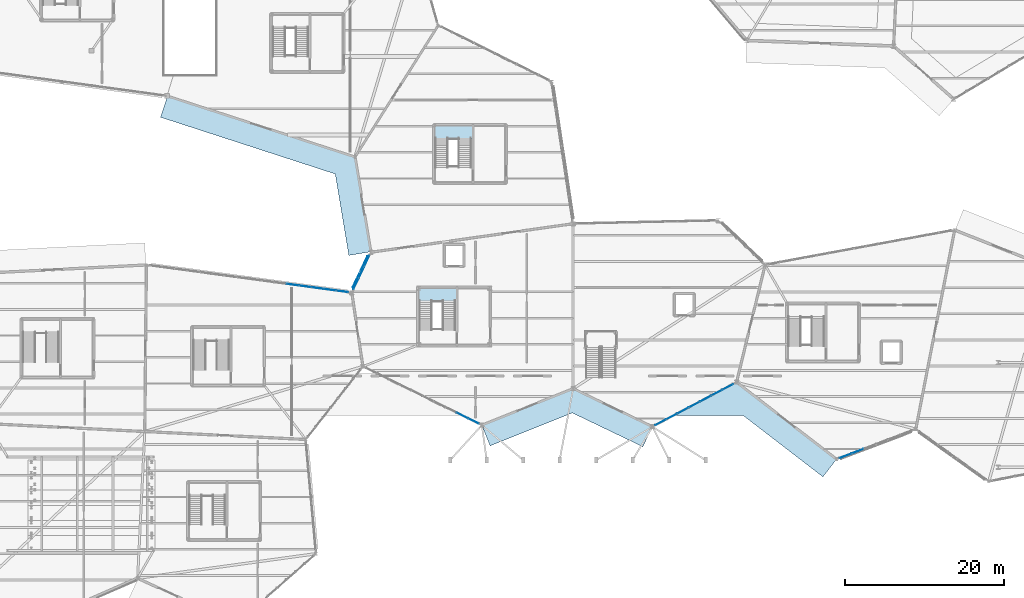
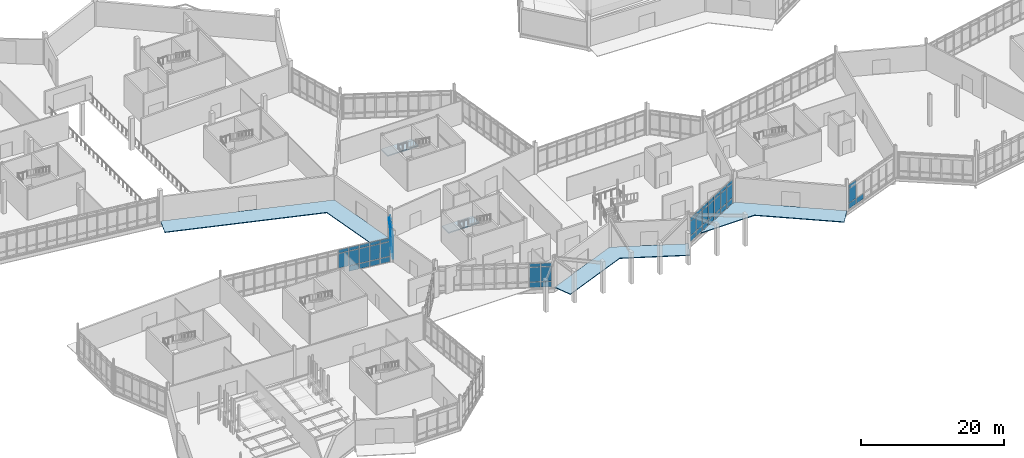
# One storey, part 71 of 113: 55 plates, 5 slabs, 7 elements without a shape of their own.
"""IFC4 building model written with IfcOpenShell, lengths in metres."""

import ifcopenshell
import ifcopenshell.guid

model = None  # the IFC model being written
_history = None  # IfcOwnerHistory: only IFC2X3 demands one
_inside = {}  # id of a spatial element -> (the spatial element, [elements in it])
_under = {}  # id of a project, library or spatial element -> (it, [spatial elements below it])
_declared = {}  # id of a project -> (the project, [libraries it declares])
_typed = {}  # id of a type object -> (the type object, [elements of that type])
_made_of = {}  # id of a material, layer set ... -> (it, [elements and type objects made of it])


def new_model(schema):
    """Start an empty IFC model of exactly this schema.

    Asked for "IFC4X3", IfcOpenShell would pick the latest addendum, in which some entities
    have other attributes; the version numbers below select the first issue.
    IFC2X3 requires an IfcOwnerHistory on every rooted entity: one is made here for all.
    """
    global model, _history
    if schema == "IFC4X3":
        model = ifcopenshell.file(schema_version=(4, 3, 0, 0))
    else:
        model = ifcopenshell.file(schema=schema)
    _inside.clear()
    _under.clear()
    _declared.clear()
    _typed.clear()
    _made_of.clear()
    _history = None
    if model.schema == "IFC2X3":
        org = make("IfcOrganization", Name="unknown")
        user = make(
            "IfcPersonAndOrganization",
            ThePerson=make("IfcPerson", FamilyName="unknown"),
            TheOrganization=org,
        )
        app = make(
            "IfcApplication",
            ApplicationDeveloper=org,
            Version="unknown",
            ApplicationFullName="unknown",
            ApplicationIdentifier="unknown",
        )
        _history = make(
            "IfcOwnerHistory",
            OwningUser=user,
            OwningApplication=app,
            ChangeAction="ADDED",
            CreationDate=0,
        )
    return model


def make(cls, **values):
    """One entity of the class cls with the attributes given. An attribute that is None is left unset."""
    return model.create_entity(
        cls, **{name: value for name, value in values.items() if value is not None}
    )


def rooted(cls, **values):
    """An entity with a GlobalId (a new one), such as an element, a storey or a relation."""
    return make(cls, GlobalId=ifcopenshell.guid.new(), OwnerHistory=_history, **values)


def si_unit(unit_type, name, prefix=None):
    """IfcSIUnit, for example si_unit("LENGTHUNIT", "METRE", prefix="MILLI")."""
    return make("IfcSIUnit", UnitType=unit_type, Prefix=prefix, Name=name)


def assignment(units):
    """IfcUnitAssignment: the units of a project."""
    return None if units is None else make("IfcUnitAssignment", Units=units)


def point(xyz):
    """IfcCartesianPoint."""
    return None if xyz is None else make("IfcCartesianPoint", Coordinates=xyz)


def direction(xyz):
    """IfcDirection."""
    return None if xyz is None else make("IfcDirection", DirectionRatios=xyz)


def frame(location, z_axis=None, x_axis=None):
    """IfcAxis2Placement3D, a coordinate frame: its origin and axes. An axis left out is left unset."""
    return make(
        "IfcAxis2Placement3D",
        Location=point(location),
        Axis=direction(z_axis),
        RefDirection=direction(x_axis),
    )


def frame_2d(location, x_axis=None):
    """IfcAxis2Placement2D, a coordinate frame in the plane: its origin and x axis."""
    return make(
        "IfcAxis2Placement2D", Location=point(location), RefDirection=direction(x_axis)
    )


def origin():
    """The frame at (0, 0, 0) with its axes left unset."""
    return frame((0.0, 0.0, 0.0))


def origin_2d():
    """The frame at (0, 0) in the plane with its x axis left unset."""
    return frame_2d((0.0, 0.0))


def place(relative_to, where):
    """IfcLocalPlacement: puts the frame where relative to a parent placement (None: the world)."""
    return make(
        "IfcLocalPlacement", PlacementRelTo=relative_to, RelativePlacement=where
    )


def context(
    kind, dimensions, precision=None, world=None, true_north=None, identifier=None
):
    """IfcGeometricRepresentationContext, for example the 3D "Model" context."""
    return make(
        "IfcGeometricRepresentationContext",
        ContextIdentifier=identifier,
        ContextType=kind,
        CoordinateSpaceDimension=dimensions,
        Precision=precision,
        WorldCoordinateSystem=world,
        TrueNorth=true_north,
    )


def subcontext(parent, identifier, kind, view, scale=None):
    """IfcGeometricRepresentationSubContext, for example "Body" below "Model"."""
    return make(
        "IfcGeometricRepresentationSubContext",
        ContextIdentifier=identifier,
        ContextType=kind,
        ParentContext=parent,
        TargetScale=scale,
        TargetView=view,
    )


def project(units=None, contexts=None):
    """IfcProject with its units and contexts."""
    return rooted(
        "IfcProject",
        Name="project",
        RepresentationContexts=contexts,
        UnitsInContext=assignment(units),
    )


def spatial(cls, under=None, at=None, **own):
    """A site, building, storey or space (cls), placed at a placement, below another one or the project."""
    s = rooted(cls, ObjectPlacement=at, **own)
    if under is not None:
        _under.setdefault(under.id(), (under, []))[1].append(s)
    return s


def polyline(points):
    """IfcPolyline through the points."""
    return make("IfcPolyline", Points=[point(p) for p in points])


def profile(cls, at=None, kind="AREA", **sizes):
    """A parametric profile (cls). Its sizes go by their IFC names, for example OverallWidth=200.0."""
    return make(cls, ProfileType=kind, Position=at, **sizes)


def rectangle(**sizes):
    """IfcRectangleProfileDef."""
    return profile("IfcRectangleProfileDef", **sizes)


def outline(outer, holes=None, kind="AREA"):
    """IfcArbitraryClosedProfileDef: a profile drawn as a closed curve; with holes, ...WithVoids."""
    if holes is None:
        return make("IfcArbitraryClosedProfileDef", ProfileType=kind, OuterCurve=outer)
    return make(
        "IfcArbitraryProfileDefWithVoids",
        ProfileType=kind,
        OuterCurve=outer,
        InnerCurves=holes,
    )


def extrude(swept, where, along, depth):
    """IfcExtrudedAreaSolid: the profile swept, set in the frame where, extruded along a direction by depth."""
    return make(
        "IfcExtrudedAreaSolid",
        SweptArea=swept,
        Position=where,
        ExtrudedDirection=direction(along),
        Depth=depth,
    )


def shape(context_of_items, identifier, shape_type, items):
    """IfcShapeRepresentation: the items that make up one representation, for example the "Body"."""
    return make(
        "IfcShapeRepresentation",
        ContextOfItems=context_of_items,
        RepresentationIdentifier=identifier,
        RepresentationType=shape_type,
        Items=items,
    )


def material(Name=None, Category=None):
    """IfcMaterial."""
    return make("IfcMaterial", Name=Name, Category=Category)


def layer(
    of_material, thickness, ventilated=None, Name=None, Category=None, Priority=None
):
    """IfcMaterialLayer: one layer of a wall or slab, of a material (None: an air gap)."""
    return make(
        "IfcMaterialLayer",
        Material=of_material,
        LayerThickness=thickness,
        IsVentilated=ventilated,
        Name=Name,
        Category=Category,
        Priority=Priority,
    )


def layer_set(layers, Name=None):
    """IfcMaterialLayerSet."""
    return make("IfcMaterialLayerSet", MaterialLayers=layers, LayerSetName=Name)


def made_of(thing, what):
    """Note that an element or type object is made of a material, layer set ...; save() writes the relation."""
    if what is not None:
        _made_of.setdefault(what.id(), (what, []))[1].append(thing)
    return thing


def type_object(cls, material=None, **own):
    """A type object (cls), such as IfcWallType, which elements share."""
    return made_of(rooted(cls, **own), material)


def element(
    cls,
    number,
    at=None,
    inside=None,
    cuts=None,
    type_object=None,
    material=None,
    context=None,
    identifier="Body",
    shape_type=None,
    held_by="IfcProductDefinitionShape",
    body=None,
    shapes=None,
    **own,
):
    """One element of the class cls, such as IfcWall. Its Tag is "e" and its number.

    at: its placement. inside: the storey or other place that contains it. cuts: it is an
    opening in that element (IfcRelVoidsElement). A single representation is given by context,
    identifier, shape_type and body (its items); several are given by shapes. held_by: the class
    of the entity that holds the representations. save() writes the other relations.
    """
    e = rooted(cls, Tag="e%d" % number, ObjectPlacement=at, **own)
    if body is not None:
        shapes = [shape(context, identifier, shape_type, body)]
    if shapes is not None:
        e.Representation = make(held_by, Representations=shapes)
    if inside is not None:
        _inside.setdefault(inside.id(), (inside, []))[1].append(e)
    if cuts is not None:
        rooted(
            "IfcRelVoidsElement", RelatingBuildingElement=cuts, RelatedOpeningElement=e
        )
    if type_object is not None:
        _typed.setdefault(type_object.id(), (type_object, []))[1].append(e)
    return made_of(e, material)


def aggregate(whole, parts):
    """IfcRelAggregates: a whole, such as a stair, and the parts it consists of."""
    return rooted("IfcRelAggregates", RelatingObject=whole, RelatedObjects=parts)


def save(model, path):
    """Write the relations noted so far, then the file.

    IfcRelAggregates (storeys below a building ...), IfcRelContainedInSpatialStructure (elements
    in a storey), IfcRelDefinesByType, IfcRelAssociatesMaterial and IfcRelDeclares: one each for
    every whole, place, type object, material and project.
    """
    for whole, parts in _under.values():
        aggregate(whole, parts)
    for where, things in _inside.values():
        rooted(
            "IfcRelContainedInSpatialStructure",
            RelatedElements=things,
            RelatingStructure=where,
        )
    for kind, things in _typed.values():
        rooted("IfcRelDefinesByType", RelatedObjects=things, RelatingType=kind)
    for what, things in _made_of.values():
        rooted("IfcRelAssociatesMaterial", RelatedObjects=things, RelatingMaterial=what)
    for by, libraries in _declared.values():
        rooted("IfcRelDeclares", RelatingContext=by, RelatedDefinitions=libraries)
    model.write(path)


model = new_model("IFC4")

# Units and contexts
model_context = context("Model", 3, precision=1e-05, world=origin(), true_north=direction((0.0, 1.0)))
body_context = subcontext(model_context, "Body", "Model", "MODEL_VIEW")
ifc_project = project(units=[si_unit("LENGTHUNIT", "METRE"), si_unit("AREAUNIT", "SQUARE_METRE"), si_unit("VOLUMEUNIT", "CUBIC_METRE"), si_unit("PLANEANGLEUNIT", "RADIAN"), si_unit("MASSUNIT", "GRAM", prefix="KILO")], contexts=[model_context])

# Site, building, storey
site_placement = place(None, origin())
site = spatial("IfcSite", under=ifc_project, at=site_placement, CompositionType="ELEMENT")
building_placement = place(site_placement, origin())
building = spatial("IfcBuilding", under=site, at=building_placement, Name="Tameran Prism Museum", CompositionType="ELEMENT")
storey_placement = place(building_placement, origin())
storey = spatial("IfcBuildingStorey", under=building, at=storey_placement, Name="L00", CompositionType="ELEMENT", Elevation=0.0)

# Curtain wall, plates
ifc_material_1 = material(Name="Anodised Aluminium 6063-T6 and Cyclone Solar Glass", Category="aluminium")
curtain_wall_type_1 = type_object("IfcCurtainWallType", Name="CW-FAC-1123x422", PredefinedType="USERDEFINED", material=ifc_material_1)
curtain_wall_1_placement = place(storey_placement, origin())
curtain_wall_1 = element("IfcCurtainWall", 1, at=curtain_wall_1_placement, inside=storey, type_object=curtain_wall_type_1, Name="Unitised Curtain Wall CW-030", ObjectType="UNITISED CURTAIN WALL", PredefinedType="USERDEFINED")
ifc_material_2 = material(Name="Low-E Laminated Solar Glass", Category="glass")
ifc_layer_1 = layer(ifc_material_2, 0.028076171875)
ifc_layer_set_1 = layer_set([ifc_layer_1])
plate_type_1 = type_object("IfcPlateType", Name="CW-PNL-G28", PredefinedType="CURTAIN_PANEL", material=ifc_layer_set_1)
plate_1_placement = place(storey_placement, frame((97.010986328125, 27.625, 0.080078125), z_axis=(0.0, 0.0, 1.0), x_axis=(-0.884175340483, -0.467155185438, 0.0)))
plate_1 = element("IfcPlate", 2, at=plate_1_placement, type_object=plate_type_1, Name="CW-030 panel 1.1", PredefinedType="CURTAIN_PANEL", context=body_context, shape_type="SweptSolid", body=[
    extrude(rectangle(XDim=1.484130859375, YDim=0.028076171875, at=origin_2d()), origin(), (0.0, 0.0, 1.0), 0.8798828125),
])
plate_2_placement = place(storey_placement, frame((97.010986328125, 27.625, 1.0400390625), z_axis=(0.0, 0.0, 1.0), x_axis=(-0.884175340483, -0.467155185438, 0.0)))
plate_2 = element("IfcPlate", 3, at=plate_2_placement, type_object=plate_type_1, Name="CW-030 panel 1.2", PredefinedType="CURTAIN_PANEL", context=body_context, shape_type="SweptSolid", body=[
    extrude(rectangle(XDim=1.484130859375, YDim=0.028076171875, at=origin_2d()), origin(), (0.0, 0.0, 1.0), 2.4599609375),
])
plate_3_placement = place(storey_placement, frame((97.010986328125, 27.625, 3.580078125), z_axis=(0.0, 0.0, 1.0), x_axis=(-0.884175340483, -0.467155185438, 0.0)))
plate_3 = element("IfcPlate", 4, at=plate_3_placement, type_object=plate_type_1, Name="CW-030 panel 1.3", PredefinedType="CURTAIN_PANEL", context=body_context, shape_type="SweptSolid", body=[
    extrude(rectangle(XDim=1.484130859375, YDim=0.028076171875, at=origin_2d()), origin(), (0.0, 0.0, 1.0), 0.56005859375),
])
plate_4_placement = place(storey_placement, frame((95.6103515625, 26.884765625, 0.080078125), z_axis=(0.0, 0.0, 1.0), x_axis=(-0.884175340483, -0.467155185438, 0.0)))
plate_4 = element("IfcPlate", 5, at=plate_4_placement, type_object=plate_type_1, Name="CW-030 panel 2.1", PredefinedType="CURTAIN_PANEL", context=body_context, shape_type="SweptSolid", body=[
    extrude(rectangle(XDim=1.524169921875, YDim=0.028076171875, at=origin_2d()), origin(), (0.0, 0.0, 1.0), 0.8798828125),
])
plate_5_placement = place(storey_placement, frame((95.6103515625, 26.884765625, 1.0400390625), z_axis=(0.0, 0.0, 1.0), x_axis=(-0.884175340483, -0.467155185438, 0.0)))
plate_5 = element("IfcPlate", 6, at=plate_5_placement, type_object=plate_type_1, Name="CW-030 panel 2.2", PredefinedType="CURTAIN_PANEL", context=body_context, shape_type="SweptSolid", body=[
    extrude(rectangle(XDim=1.524169921875, YDim=0.028076171875, at=origin_2d()), origin(), (0.0, 0.0, 1.0), 2.4599609375),
])
plate_6_placement = place(storey_placement, frame((95.6103515625, 26.884765625, 3.580078125), z_axis=(0.0, 0.0, 1.0), x_axis=(-0.884175340483, -0.467155185438, 0.0)))
plate_6 = element("IfcPlate", 7, at=plate_6_placement, type_object=plate_type_1, Name="CW-030 panel 2.3", PredefinedType="CURTAIN_PANEL", context=body_context, shape_type="SweptSolid", body=[
    extrude(rectangle(XDim=1.524169921875, YDim=0.028076171875, at=origin_2d()), origin(), (0.0, 0.0, 1.0), 0.56005859375),
])
plate_7_placement = place(storey_placement, frame((94.19189453125, 26.135498046875, 0.080078125), z_axis=(0.0, 0.0, 1.0), x_axis=(-0.884175340483, -0.467155185438, 0.0)))
plate_7 = element("IfcPlate", 8, at=plate_7_placement, type_object=plate_type_1, Name="CW-030 panel 3.1", PredefinedType="CURTAIN_PANEL", context=body_context, shape_type="SweptSolid", body=[
    extrude(rectangle(XDim=1.524169921875, YDim=0.028076171875, at=origin_2d()), origin(), (0.0, 0.0, 1.0), 0.8798828125),
])
plate_8_placement = place(storey_placement, frame((94.19189453125, 26.135498046875, 1.0400390625), z_axis=(0.0, 0.0, 1.0), x_axis=(-0.884175340483, -0.467155185438, 0.0)))
plate_8 = element("IfcPlate", 9, at=plate_8_placement, type_object=plate_type_1, Name="CW-030 panel 3.2", PredefinedType="CURTAIN_PANEL", context=body_context, shape_type="SweptSolid", body=[
    extrude(rectangle(XDim=1.524169921875, YDim=0.028076171875, at=origin_2d()), origin(), (0.0, 0.0, 1.0), 2.4599609375),
])
plate_9_placement = place(storey_placement, frame((94.19189453125, 26.135498046875, 3.580078125), z_axis=(0.0, 0.0, 1.0), x_axis=(-0.884175340483, -0.467155185438, 0.0)))
plate_9 = element("IfcPlate", 10, at=plate_9_placement, type_object=plate_type_1, Name="CW-030 panel 3.3", PredefinedType="CURTAIN_PANEL", context=body_context, shape_type="SweptSolid", body=[
    extrude(rectangle(XDim=1.524169921875, YDim=0.028076171875, at=origin_2d()), origin(), (0.0, 0.0, 1.0), 0.56005859375),
])
plate_10_placement = place(storey_placement, frame((92.7734375, 25.385986328125, 0.080078125), z_axis=(0.0, 0.0, 1.0), x_axis=(-0.884175340483, -0.467155185438, 0.0)))
plate_10 = element("IfcPlate", 11, at=plate_10_placement, type_object=plate_type_1, Name="CW-030 panel 4.1", PredefinedType="CURTAIN_PANEL", context=body_context, shape_type="SweptSolid", body=[
    extrude(rectangle(XDim=1.524169921875, YDim=0.028076171875, at=origin_2d()), origin(), (0.0, 0.0, 1.0), 0.8798828125),
])
plate_11_placement = place(storey_placement, frame((92.7734375, 25.385986328125, 1.0400390625), z_axis=(0.0, 0.0, 1.0), x_axis=(-0.884175340483, -0.467155185438, 0.0)))
plate_11 = element("IfcPlate", 12, at=plate_11_placement, type_object=plate_type_1, Name="CW-030 panel 4.2", PredefinedType="CURTAIN_PANEL", context=body_context, shape_type="SweptSolid", body=[
    extrude(rectangle(XDim=1.524169921875, YDim=0.028076171875, at=origin_2d()), origin(), (0.0, 0.0, 1.0), 2.4599609375),
])
plate_12_placement = place(storey_placement, frame((92.7734375, 25.385986328125, 3.580078125), z_axis=(0.0, 0.0, 1.0), x_axis=(-0.884175340483, -0.467155185438, 0.0)))
plate_12 = element("IfcPlate", 13, at=plate_12_placement, type_object=plate_type_1, Name="CW-030 panel 4.3", PredefinedType="CURTAIN_PANEL", context=body_context, shape_type="SweptSolid", body=[
    extrude(rectangle(XDim=1.524169921875, YDim=0.028076171875, at=origin_2d()), origin(), (0.0, 0.0, 1.0), 0.56005859375),
])
plate_13_placement = place(storey_placement, frame((91.35498046875, 24.636474609375, 0.080078125), z_axis=(0.0, 0.0, 1.0), x_axis=(-0.884175340483, -0.467155185438, 0.0)))
plate_13 = element("IfcPlate", 14, at=plate_13_placement, type_object=plate_type_1, Name="CW-030 panel 5.1", PredefinedType="CURTAIN_PANEL", context=body_context, shape_type="SweptSolid", body=[
    extrude(rectangle(XDim=1.524169921875, YDim=0.028076171875, at=origin_2d()), origin(), (0.0, 0.0, 1.0), 0.8798828125),
])
plate_14_placement = place(storey_placement, frame((91.35498046875, 24.636474609375, 1.0400390625), z_axis=(0.0, 0.0, 1.0), x_axis=(-0.884175340483, -0.467155185438, 0.0)))
plate_14 = element("IfcPlate", 15, at=plate_14_placement, type_object=plate_type_1, Name="CW-030 panel 5.2", PredefinedType="CURTAIN_PANEL", context=body_context, shape_type="SweptSolid", body=[
    extrude(rectangle(XDim=1.524169921875, YDim=0.028076171875, at=origin_2d()), origin(), (0.0, 0.0, 1.0), 2.4599609375),
])
plate_15_placement = place(storey_placement, frame((91.35498046875, 24.636474609375, 3.580078125), z_axis=(0.0, 0.0, 1.0), x_axis=(-0.884175340483, -0.467155185438, 0.0)))
plate_15 = element("IfcPlate", 16, at=plate_15_placement, type_object=plate_type_1, Name="CW-030 panel 5.3", PredefinedType="CURTAIN_PANEL", context=body_context, shape_type="SweptSolid", body=[
    extrude(rectangle(XDim=1.524169921875, YDim=0.028076171875, at=origin_2d()), origin(), (0.0, 0.0, 1.0), 0.56005859375),
])
plate_16_placement = place(storey_placement, frame((89.9365234375, 23.88720703125, 0.080078125), z_axis=(0.0, 0.0, 1.0), x_axis=(-0.884175340483, -0.467155185438, 0.0)))
plate_16 = element("IfcPlate", 17, at=plate_16_placement, type_object=plate_type_1, Name="CW-030 panel 6.1", PredefinedType="CURTAIN_PANEL", context=body_context, shape_type="SweptSolid", body=[
    extrude(rectangle(XDim=1.524169921875, YDim=0.028076171875, at=origin_2d()), origin(), (0.0, 0.0, 1.0), 0.8798828125),
])
plate_17_placement = place(storey_placement, frame((89.9365234375, 23.88720703125, 1.0400390625), z_axis=(0.0, 0.0, 1.0), x_axis=(-0.884175340483, -0.467155185438, 0.0)))
plate_17 = element("IfcPlate", 18, at=plate_17_placement, type_object=plate_type_1, Name="CW-030 panel 6.2", PredefinedType="CURTAIN_PANEL", context=body_context, shape_type="SweptSolid", body=[
    extrude(rectangle(XDim=1.524169921875, YDim=0.028076171875, at=origin_2d()), origin(), (0.0, 0.0, 1.0), 2.4599609375),
])
plate_18_placement = place(storey_placement, frame((89.9365234375, 23.88720703125, 3.580078125), z_axis=(0.0, 0.0, 1.0), x_axis=(-0.884175340483, -0.467155185438, 0.0)))
plate_18 = element("IfcPlate", 19, at=plate_18_placement, type_object=plate_type_1, Name="CW-030 panel 6.3", PredefinedType="CURTAIN_PANEL", context=body_context, shape_type="SweptSolid", body=[
    extrude(rectangle(XDim=1.524169921875, YDim=0.028076171875, at=origin_2d()), origin(), (0.0, 0.0, 1.0), 0.56005859375),
])
plate_19_placement = place(storey_placement, frame((88.535888671875, 23.14697265625, 0.080078125), z_axis=(0.0, 0.0, 1.0), x_axis=(-0.884175340483, -0.467155185438, 0.0)))
plate_19 = element("IfcPlate", 20, at=plate_19_placement, type_object=plate_type_1, Name="CW-030 panel 7.1", PredefinedType="CURTAIN_PANEL", context=body_context, shape_type="SweptSolid", body=[
    extrude(rectangle(XDim=1.484130859375, YDim=0.028076171875, at=origin_2d()), origin(), (0.0, 0.0, 1.0), 0.8798828125),
])
plate_20_placement = place(storey_placement, frame((88.535888671875, 23.14697265625, 1.0400390625), z_axis=(0.0, 0.0, 1.0), x_axis=(-0.884175340483, -0.467155185438, 0.0)))
plate_20 = element("IfcPlate", 21, at=plate_20_placement, type_object=plate_type_1, Name="CW-030 panel 7.2", PredefinedType="CURTAIN_PANEL", context=body_context, shape_type="SweptSolid", body=[
    extrude(rectangle(XDim=1.484130859375, YDim=0.028076171875, at=origin_2d()), origin(), (0.0, 0.0, 1.0), 2.4599609375),
])
plate_21_placement = place(storey_placement, frame((88.535888671875, 23.14697265625, 3.580078125), z_axis=(0.0, 0.0, 1.0), x_axis=(-0.884175340483, -0.467155185438, 0.0)))
plate_21 = element("IfcPlate", 22, at=plate_21_placement, type_object=plate_type_1, Name="CW-030 panel 7.3", PredefinedType="CURTAIN_PANEL", context=body_context, shape_type="SweptSolid", body=[
    extrude(rectangle(XDim=1.484130859375, YDim=0.028076171875, at=origin_2d()), origin(), (0.0, 0.0, 1.0), 0.56005859375),
])
aggregate(curtain_wall_1, [plate_1, plate_2, plate_3, plate_4, plate_5, plate_6, plate_7, plate_8, plate_9, plate_10, plate_11, plate_12, plate_13, plate_14, plate_15, plate_16, plate_17, plate_18, plate_19, plate_20, plate_21])

ifc_material_3 = material(Name="Anodised Aluminium 6063-T6 and Cyclone Solar Glass", Category="aluminium")
curtain_wall_type_2 = type_object("IfcCurtainWallType", Name="CW-FAC-994x422", PredefinedType="USERDEFINED", material=ifc_material_3)
curtain_wall_2_placement = place(storey_placement, origin())
curtain_wall_2 = element("IfcCurtainWall", 23, at=curtain_wall_2_placement, inside=storey, type_object=curtain_wall_type_2, Name="Unitised Curtain Wall CW-035", ObjectType="UNITISED CURTAIN WALL", PredefinedType="USERDEFINED")
plate_22_placement = place(storey_placement, frame((113.349609375, 19.5068359375, 0.06494140625), z_axis=(0.0, 0.0, 1.0), x_axis=(-0.934756849189, -0.355288098442, 0.0)))
plate_22 = element("IfcPlate", 24, at=plate_22_placement, type_object=plate_type_1, Name="CW-035 panel 5.1", PredefinedType="CURTAIN_PANEL", context=body_context, shape_type="SweptSolid", body=[
    extrude(rectangle(XDim=1.59130859375, YDim=0.028076171875, at=origin_2d()), origin(), (0.0, 0.0, 1.0), 0.902587890625),
])
plate_23_placement = place(storey_placement, frame((111.81640625, 18.924072265625, 0.06494140625), z_axis=(0.0, 0.0, 1.0), x_axis=(-0.934756849189, -0.355288098442, 0.0)))
plate_23 = element("IfcPlate", 25, at=plate_23_placement, type_object=plate_type_1, Name="CW-035 panel 6.1", PredefinedType="CURTAIN_PANEL", context=body_context, shape_type="SweptSolid", body=[
    extrude(rectangle(XDim=1.558837890625, YDim=0.028076171875, at=origin_2d()), origin(), (0.0, 0.0, 1.0), 0.902587890625),
])
plate_24_placement = place(storey_placement, frame((111.81640625, 18.924072265625, 1.032470703125), z_axis=(0.0, 0.0, 1.0), x_axis=(-0.934756849189, -0.355288098442, 0.0)))
plate_24 = element("IfcPlate", 26, at=plate_24_placement, type_object=plate_type_1, Name="CW-035 panel 6.2", PredefinedType="CURTAIN_PANEL", context=body_context, shape_type="SweptSolid", body=[
    extrude(rectangle(XDim=1.558837890625, YDim=0.028076171875, at=origin_2d()), origin(), (0.0, 0.0, 1.0), 2.47509765625),
])
plate_25_placement = place(storey_placement, frame((111.81640625, 18.924072265625, 3.572509765625), z_axis=(0.0, 0.0, 1.0), x_axis=(-0.934756849189, -0.355288098442, 0.0)))
plate_25 = element("IfcPlate", 27, at=plate_25_placement, type_object=plate_type_1, Name="CW-035 panel 6.3", PredefinedType="CURTAIN_PANEL", context=body_context, shape_type="SweptSolid", body=[
    extrude(rectangle(XDim=1.558837890625, YDim=0.028076171875, at=origin_2d()), origin(), (0.0, 0.0, 1.0), 0.58251953125),
])
aggregate(curtain_wall_2, [plate_22, plate_23, plate_24, plate_25])

ifc_material_4 = material(Name="Anodised Aluminium 6063-T6 and Cyclone Solar Glass", Category="aluminium")
curtain_wall_type_3 = type_object("IfcCurtainWallType", Name="CW-FAC-1597x422", PredefinedType="USERDEFINED", material=ifc_material_4)
curtain_wall_3_placement = place(storey_placement, origin())
curtain_wall_3 = element("IfcCurtainWall", 28, at=curtain_wall_3_placement, inside=storey, type_object=curtain_wall_type_3, Name="Unitised Curtain Wall CW-028", ObjectType="UNITISED CURTAIN WALL", PredefinedType="USERDEFINED")
ifc_material_5 = material(Name="Cyclone Laminated Solar Glass", Category="glass")
ifc_layer_2 = layer(ifc_material_5, 0.031982421875)
ifc_layer_set_2 = layer_set([ifc_layer_2])
plate_type_2 = type_object("IfcPlateType", Name="CW-PNL-G32", PredefinedType="CURTAIN_PANEL", material=ifc_layer_set_2)
plate_26_placement = place(storey_placement, frame((64.954345703125, 23.31591796875, 0.070068359375), z_axis=(0.0, 0.0, 1.0), x_axis=(-0.896819470069, 0.442396697666, 0.0)))
plate_26 = element("IfcPlate", 29, at=plate_26_placement, type_object=plate_type_2, Name="CW-028 panel 1.1", PredefinedType="CURTAIN_PANEL", context=body_context, shape_type="SweptSolid", body=[
    extrude(rectangle(XDim=1.491455078125, YDim=0.031982421875, at=origin_2d()), origin(), (0.0, 0.0, 1.0), 0.89501953125),
])
plate_27_placement = place(storey_placement, frame((64.954345703125, 23.31591796875, 1.03515625), z_axis=(0.0, 0.0, 1.0), x_axis=(-0.896819470069, 0.442396697666, 0.0)))
plate_27 = element("IfcPlate", 30, at=plate_27_placement, type_object=plate_type_2, Name="CW-028 panel 1.2", PredefinedType="CURTAIN_PANEL", context=body_context, shape_type="SweptSolid", body=[
    extrude(rectangle(XDim=1.491455078125, YDim=0.031982421875, at=origin_2d()), origin(), (0.0, 0.0, 1.0), 2.469970703125),
])
plate_28_placement = place(storey_placement, frame((64.954345703125, 23.31591796875, 3.5751953125), z_axis=(0.0, 0.0, 1.0), x_axis=(-0.896819470069, 0.442396697666, 0.0)))
plate_28 = element("IfcPlate", 31, at=plate_28_placement, type_object=plate_type_2, Name="CW-028 panel 1.3", PredefinedType="CURTAIN_PANEL", context=body_context, shape_type="SweptSolid", body=[
    extrude(rectangle(XDim=1.491455078125, YDim=0.031982421875, at=origin_2d()), origin(), (0.0, 0.0, 1.0), 0.574951171875),
])
plate_29_placement = place(storey_placement, frame((63.538330078125, 24.014404296875, 0.070068359375), z_axis=(0.0, 0.0, 1.0), x_axis=(-0.896819470069, 0.442396697666, 0.0)))
plate_29 = element("IfcPlate", 32, at=plate_29_placement, type_object=plate_type_2, Name="CW-028 panel 2.1", PredefinedType="CURTAIN_PANEL", context=body_context, shape_type="SweptSolid", body=[
    extrude(rectangle(XDim=1.526611328125, YDim=0.031982421875, at=origin_2d()), origin(), (0.0, 0.0, 1.0), 0.89501953125),
])
plate_30_placement = place(storey_placement, frame((63.538330078125, 24.014404296875, 1.03515625), z_axis=(0.0, 0.0, 1.0), x_axis=(-0.896819470069, 0.442396697666, 0.0)))
plate_30 = element("IfcPlate", 33, at=plate_30_placement, type_object=plate_type_2, Name="CW-028 panel 2.2", PredefinedType="CURTAIN_PANEL", context=body_context, shape_type="SweptSolid", body=[
    extrude(rectangle(XDim=1.526611328125, YDim=0.031982421875, at=origin_2d()), origin(), (0.0, 0.0, 1.0), 2.469970703125),
])
plate_31_placement = place(storey_placement, frame((63.538330078125, 24.014404296875, 3.5751953125), z_axis=(0.0, 0.0, 1.0), x_axis=(-0.896819470069, 0.442396697666, 0.0)))
plate_31 = element("IfcPlate", 34, at=plate_31_placement, type_object=plate_type_2, Name="CW-028 panel 2.3", PredefinedType="CURTAIN_PANEL", context=body_context, shape_type="SweptSolid", body=[
    extrude(rectangle(XDim=1.526611328125, YDim=0.031982421875, at=origin_2d()), origin(), (0.0, 0.0, 1.0), 0.574951171875),
])
aggregate(curtain_wall_3, [plate_26, plate_27, plate_28, plate_29, plate_30, plate_31])

ifc_material_6 = material(Name="Anodised Aluminium 6063-T6 and Cyclone Solar Glass", Category="aluminium")
curtain_wall_type_4 = type_object("IfcCurtainWallType", Name="CW-FAC-482x422", PredefinedType="USERDEFINED", material=ifc_material_6)
curtain_wall_4_placement = place(storey_placement, origin())
curtain_wall_4 = element("IfcCurtainWall", 35, at=curtain_wall_4_placement, inside=storey, type_object=curtain_wall_type_4, Name="Unitised Curtain Wall CW-029", ObjectType="UNITISED CURTAIN WALL", PredefinedType="USERDEFINED")
plate_32_placement = place(storey_placement, frame((50.124755859375, 40.6142578125, 0.0751953125), z_axis=(0.0, 0.0, 1.0), x_axis=(0.42565703763, 0.904884570714, 0.0)))
plate_32 = element("IfcPlate", 36, at=plate_32_placement, type_object=plate_type_2, Name="CW-029 panel 1.1", PredefinedType="CURTAIN_PANEL", context=body_context, shape_type="SweptSolid", body=[
    extrude(rectangle(XDim=1.492919921875, YDim=0.031982421875, at=origin_2d()), origin(), (0.0, 0.0, 1.0), 0.887451171875),
])
plate_33_placement = place(storey_placement, frame((50.124755859375, 40.6142578125, 1.03759765625), z_axis=(0.0, 0.0, 1.0), x_axis=(0.42565703763, 0.904884570714, 0.0)))
plate_33 = element("IfcPlate", 37, at=plate_33_placement, type_object=plate_type_2, Name="CW-029 panel 1.2", PredefinedType="CURTAIN_PANEL", context=body_context, shape_type="SweptSolid", body=[
    extrude(rectangle(XDim=1.492919921875, YDim=0.031982421875, at=origin_2d()), origin(), (0.0, 0.0, 1.0), 2.465087890625),
])
plate_34_placement = place(storey_placement, frame((50.124755859375, 40.6142578125, 3.57763671875), z_axis=(0.0, 0.0, 1.0), x_axis=(0.42565703763, 0.904884570714, 0.0)))
plate_34 = element("IfcPlate", 38, at=plate_34_placement, type_object=plate_type_2, Name="CW-029 panel 1.3", PredefinedType="CURTAIN_PANEL", context=body_context, shape_type="SweptSolid", body=[
    extrude(rectangle(XDim=1.492919921875, YDim=0.031982421875, at=origin_2d()), origin(), (0.0, 0.0, 1.0), 0.5673828125),
])
plate_35_placement = place(storey_placement, frame((50.800048828125, 42.050048828125, 0.0751953125), z_axis=(0.0, 0.0, 1.0), x_axis=(0.42565703763, 0.904884570714, 0.0)))
plate_35 = element("IfcPlate", 39, at=plate_35_placement, type_object=plate_type_2, Name="CW-029 panel 2.1", PredefinedType="CURTAIN_PANEL", context=body_context, shape_type="SweptSolid", body=[
    extrude(rectangle(XDim=1.5302734375, YDim=0.031982421875, at=origin_2d()), origin(), (0.0, 0.0, 1.0), 0.887451171875),
])
plate_36_placement = place(storey_placement, frame((50.800048828125, 42.050048828125, 1.03759765625), z_axis=(0.0, 0.0, 1.0), x_axis=(0.42565703763, 0.904884570714, 0.0)))
plate_36 = element("IfcPlate", 40, at=plate_36_placement, type_object=plate_type_2, Name="CW-029 panel 2.2", PredefinedType="CURTAIN_PANEL", context=body_context, shape_type="SweptSolid", body=[
    extrude(rectangle(XDim=1.5302734375, YDim=0.031982421875, at=origin_2d()), origin(), (0.0, 0.0, 1.0), 2.465087890625),
])
plate_37_placement = place(storey_placement, frame((50.800048828125, 42.050048828125, 3.57763671875), z_axis=(0.0, 0.0, 1.0), x_axis=(0.42565703763, 0.904884570714, 0.0)))
plate_37 = element("IfcPlate", 41, at=plate_37_placement, type_object=plate_type_2, Name="CW-029 panel 2.3", PredefinedType="CURTAIN_PANEL", context=body_context, shape_type="SweptSolid", body=[
    extrude(rectangle(XDim=1.5302734375, YDim=0.031982421875, at=origin_2d()), origin(), (0.0, 0.0, 1.0), 0.5673828125),
])
plate_38_placement = place(storey_placement, frame((51.475341796875, 43.485595703125, 0.0751953125), z_axis=(0.0, 0.0, 1.0), x_axis=(0.42565703763, 0.904884570714, 0.0)))
plate_38 = element("IfcPlate", 42, at=plate_38_placement, type_object=plate_type_2, Name="CW-029 panel 3.1", PredefinedType="CURTAIN_PANEL", context=body_context, shape_type="SweptSolid", body=[
    extrude(rectangle(XDim=1.492919921875, YDim=0.031982421875, at=origin_2d()), origin(), (0.0, 0.0, 1.0), 0.887451171875),
])
plate_39_placement = place(storey_placement, frame((51.475341796875, 43.485595703125, 1.03759765625), z_axis=(0.0, 0.0, 1.0), x_axis=(0.42565703763, 0.904884570714, 0.0)))
plate_39 = element("IfcPlate", 43, at=plate_39_placement, type_object=plate_type_2, Name="CW-029 panel 3.2", PredefinedType="CURTAIN_PANEL", context=body_context, shape_type="SweptSolid", body=[
    extrude(rectangle(XDim=1.492919921875, YDim=0.031982421875, at=origin_2d()), origin(), (0.0, 0.0, 1.0), 2.465087890625),
])
plate_40_placement = place(storey_placement, frame((51.475341796875, 43.485595703125, 3.57763671875), z_axis=(0.0, 0.0, 1.0), x_axis=(0.42565703763, 0.904884570714, 0.0)))
plate_40 = element("IfcPlate", 44, at=plate_40_placement, type_object=plate_type_2, Name="CW-029 panel 3.3", PredefinedType="CURTAIN_PANEL", context=body_context, shape_type="SweptSolid", body=[
    extrude(rectangle(XDim=1.492919921875, YDim=0.031982421875, at=origin_2d()), origin(), (0.0, 0.0, 1.0), 0.5673828125),
])
aggregate(curtain_wall_4, [plate_32, plate_33, plate_34, plate_35, plate_36, plate_37, plate_38, plate_39, plate_40])

ifc_material_7 = material(Name="Anodised Aluminium 6063-T6 and Cyclone Solar Glass", Category="aluminium")
curtain_wall_type_5 = type_object("IfcCurtainWallType", Name="CW-FAC-2532x422", PredefinedType="USERDEFINED", material=ifc_material_7)
curtain_wall_5_placement = place(storey_placement, origin())
curtain_wall_5 = element("IfcCurtainWall", 45, at=curtain_wall_5_placement, inside=storey, type_object=curtain_wall_type_5, Name="Unitised Curtain Wall CW-049", ObjectType="UNITISED CURTAIN WALL", PredefinedType="USERDEFINED")
plate_41_placement = place(storey_placement, frame((42.13818359375, 40.508544921875, 1.03759765625), z_axis=(0.0, 0.0, 1.0), x_axis=(0.99099313883, -0.133912653592, 0.0)))
plate_41 = element("IfcPlate", 46, at=plate_41_placement, type_object=plate_type_2, Name="CW-049 panel 12.2", PredefinedType="CURTAIN_PANEL", context=body_context, shape_type="SweptSolid", body=[
    extrude(rectangle(XDim=1.507080078125, YDim=0.031982421875, at=origin_2d()), origin(), (0.0, 0.0, 1.0), 2.465087890625),
])
plate_42_placement = place(storey_placement, frame((42.13818359375, 40.508544921875, 3.57763671875), z_axis=(0.0, 0.0, 1.0), x_axis=(0.99099313883, -0.133912653592, 0.0)))
plate_42 = element("IfcPlate", 47, at=plate_42_placement, type_object=plate_type_2, Name="CW-049 panel 12.3", PredefinedType="CURTAIN_PANEL", context=body_context, shape_type="SweptSolid", body=[
    extrude(rectangle(XDim=1.507080078125, YDim=0.031982421875, at=origin_2d()), origin(), (0.0, 0.0, 1.0), 0.5673828125),
])
plate_43_placement = place(storey_placement, frame((43.706298828125, 40.296630859375, 0.0751953125), z_axis=(0.0, 0.0, 1.0), x_axis=(0.99099313883, -0.133912653592, 0.0)))
plate_43 = element("IfcPlate", 48, at=plate_43_placement, type_object=plate_type_2, Name="CW-049 panel 13.1", PredefinedType="CURTAIN_PANEL", context=body_context, shape_type="SweptSolid", body=[
    extrude(rectangle(XDim=1.507080078125, YDim=0.031982421875, at=origin_2d()), origin(), (0.0, 0.0, 1.0), 0.887451171875),
])
plate_44_placement = place(storey_placement, frame((43.706298828125, 40.296630859375, 1.03759765625), z_axis=(0.0, 0.0, 1.0), x_axis=(0.99099313883, -0.133912653592, 0.0)))
plate_44 = element("IfcPlate", 49, at=plate_44_placement, type_object=plate_type_2, Name="CW-049 panel 13.2", PredefinedType="CURTAIN_PANEL", context=body_context, shape_type="SweptSolid", body=[
    extrude(rectangle(XDim=1.507080078125, YDim=0.031982421875, at=origin_2d()), origin(), (0.0, 0.0, 1.0), 2.465087890625),
])
plate_45_placement = place(storey_placement, frame((43.706298828125, 40.296630859375, 3.57763671875), z_axis=(0.0, 0.0, 1.0), x_axis=(0.99099313883, -0.133912653592, 0.0)))
plate_45 = element("IfcPlate", 50, at=plate_45_placement, type_object=plate_type_2, Name="CW-049 panel 13.3", PredefinedType="CURTAIN_PANEL", context=body_context, shape_type="SweptSolid", body=[
    extrude(rectangle(XDim=1.507080078125, YDim=0.031982421875, at=origin_2d()), origin(), (0.0, 0.0, 1.0), 0.5673828125),
])
plate_46_placement = place(storey_placement, frame((45.274169921875, 40.084716796875, 0.0751953125), z_axis=(0.0, 0.0, 1.0), x_axis=(0.99099313883, -0.133912653592, 0.0)))
plate_46 = element("IfcPlate", 51, at=plate_46_placement, type_object=plate_type_2, Name="CW-049 panel 14.1", PredefinedType="CURTAIN_PANEL", context=body_context, shape_type="SweptSolid", body=[
    extrude(rectangle(XDim=1.507080078125, YDim=0.031982421875, at=origin_2d()), origin(), (0.0, 0.0, 1.0), 0.887451171875),
])
plate_47_placement = place(storey_placement, frame((45.274169921875, 40.084716796875, 1.03759765625), z_axis=(0.0, 0.0, 1.0), x_axis=(0.99099313883, -0.133912653592, 0.0)))
plate_47 = element("IfcPlate", 52, at=plate_47_placement, type_object=plate_type_2, Name="CW-049 panel 14.2", PredefinedType="CURTAIN_PANEL", context=body_context, shape_type="SweptSolid", body=[
    extrude(rectangle(XDim=1.507080078125, YDim=0.031982421875, at=origin_2d()), origin(), (0.0, 0.0, 1.0), 2.465087890625),
])
plate_48_placement = place(storey_placement, frame((45.274169921875, 40.084716796875, 3.57763671875), z_axis=(0.0, 0.0, 1.0), x_axis=(0.99099313883, -0.133912653592, 0.0)))
plate_48 = element("IfcPlate", 53, at=plate_48_placement, type_object=plate_type_2, Name="CW-049 panel 14.3", PredefinedType="CURTAIN_PANEL", context=body_context, shape_type="SweptSolid", body=[
    extrude(rectangle(XDim=1.507080078125, YDim=0.031982421875, at=origin_2d()), origin(), (0.0, 0.0, 1.0), 0.5673828125),
])
plate_49_placement = place(storey_placement, frame((46.842041015625, 39.872802734375, 0.0751953125), z_axis=(0.0, 0.0, 1.0), x_axis=(0.99099313883, -0.133912653592, 0.0)))
plate_49 = element("IfcPlate", 54, at=plate_49_placement, type_object=plate_type_2, Name="CW-049 panel 15.1", PredefinedType="CURTAIN_PANEL", context=body_context, shape_type="SweptSolid", body=[
    extrude(rectangle(XDim=1.507080078125, YDim=0.031982421875, at=origin_2d()), origin(), (0.0, 0.0, 1.0), 0.887451171875),
])
plate_50_placement = place(storey_placement, frame((46.842041015625, 39.872802734375, 1.03759765625), z_axis=(0.0, 0.0, 1.0), x_axis=(0.99099313883, -0.133912653592, 0.0)))
plate_50 = element("IfcPlate", 55, at=plate_50_placement, type_object=plate_type_2, Name="CW-049 panel 15.2", PredefinedType="CURTAIN_PANEL", context=body_context, shape_type="SweptSolid", body=[
    extrude(rectangle(XDim=1.507080078125, YDim=0.031982421875, at=origin_2d()), origin(), (0.0, 0.0, 1.0), 2.465087890625),
])
plate_51_placement = place(storey_placement, frame((46.842041015625, 39.872802734375, 3.57763671875), z_axis=(0.0, 0.0, 1.0), x_axis=(0.99099313883, -0.133912653592, 0.0)))
plate_51 = element("IfcPlate", 56, at=plate_51_placement, type_object=plate_type_2, Name="CW-049 panel 15.3", PredefinedType="CURTAIN_PANEL", context=body_context, shape_type="SweptSolid", body=[
    extrude(rectangle(XDim=1.507080078125, YDim=0.031982421875, at=origin_2d()), origin(), (0.0, 0.0, 1.0), 0.5673828125),
])
plate_52_placement = place(storey_placement, frame((48.391357421875, 39.663330078125, 0.0751953125), z_axis=(0.0, 0.0, 1.0), x_axis=(0.99099313883, -0.133912653592, 0.0)))
plate_52 = element("IfcPlate", 57, at=plate_52_placement, type_object=plate_type_2, Name="CW-049 panel 16.1", PredefinedType="CURTAIN_PANEL", context=body_context, shape_type="SweptSolid", body=[
    extrude(rectangle(XDim=1.4697265625, YDim=0.031982421875, at=origin_2d()), origin(), (0.0, 0.0, 1.0), 0.887451171875),
])
plate_53_placement = place(storey_placement, frame((48.391357421875, 39.663330078125, 1.03759765625), z_axis=(0.0, 0.0, 1.0), x_axis=(0.99099313883, -0.133912653592, 0.0)))
plate_53 = element("IfcPlate", 58, at=plate_53_placement, type_object=plate_type_2, Name="CW-049 panel 16.2", PredefinedType="CURTAIN_PANEL", context=body_context, shape_type="SweptSolid", body=[
    extrude(rectangle(XDim=1.4697265625, YDim=0.031982421875, at=origin_2d()), origin(), (0.0, 0.0, 1.0), 2.465087890625),
])
plate_54_placement = place(storey_placement, frame((48.391357421875, 39.663330078125, 3.57763671875), z_axis=(0.0, 0.0, 1.0), x_axis=(0.99099313883, -0.133912653592, 0.0)))
plate_54 = element("IfcPlate", 59, at=plate_54_placement, type_object=plate_type_2, Name="CW-049 panel 16.3", PredefinedType="CURTAIN_PANEL", context=body_context, shape_type="SweptSolid", body=[
    extrude(rectangle(XDim=1.4697265625, YDim=0.031982421875, at=origin_2d()), origin(), (0.0, 0.0, 1.0), 0.5673828125),
])
aggregate(curtain_wall_5, [plate_41, plate_42, plate_43, plate_44, plate_45, plate_46, plate_47, plate_48, plate_49, plate_50, plate_51, plate_52, plate_53, plate_54])

# Plate
ifc_material_8 = material(Name="Perforated Marine Aluminium Storm Screen", Category="aluminium")
ifc_layer_3 = layer(ifc_material_8, 0.011962890625)
ifc_layer_set_3 = layer_set([ifc_layer_3])
plate_type_3 = type_object("IfcPlateType", Name="CW-PNL-P12", PredefinedType="SHEET", material=ifc_layer_set_3)
plate_55_placement = place(storey_placement, frame((50.636962890625, 42.126953125, 3.530029296875), z_axis=(0.0, 0.0, 1.0), x_axis=(0.425621362969, 0.90490135119, 0.0)))
element("IfcPlate", 60, at=plate_55_placement, inside=storey, type_object=plate_type_3, Name="Cyclone Perforated Sun-Breaker SS-005", PredefinedType="SHEET", context=body_context, shape_type="SweptSolid", body=[
    extrude(rectangle(XDim=4.31689453125, YDim=0.02001953125, at=origin_2d()), origin(), (0.0, 0.0, 1.0), 0.47998046875),
])

# Stair, slab
ifc_material_9 = material(Name="Concrete N40 (40 MPa)", Category="concrete")
stair_type = type_object("IfcStairType", Name="ST-CORE-54", PredefinedType="HALF_TURN_STAIR", material=ifc_material_9)
stair_1_placement = place(storey_placement, origin())
stair_1 = element("IfcStair", 61, at=stair_1_placement, inside=storey, type_object=stair_type, Name="Fire-Isolated Stair ST-03-L00", PredefinedType="HALF_TURN_STAIR")
ifc_material_10 = material(Name="Concrete N40 (40 MPa)", Category="concrete")
ifc_layer_4 = layer(ifc_material_10, 0.18505859375)
ifc_layer_set_4 = layer_set([ifc_layer_4])
slab_type_1 = type_object("IfcSlabType", Name="SL-LND-185", PredefinedType="LANDING", material=ifc_layer_set_4)
slab_1_placement = place(storey_placement, frame((0.0, 0.0, 2.514892578125)))
slab_1 = element("IfcSlab", 62, at=slab_1_placement, type_object=slab_type_1, Name="ST-03-L00 landing 1", PredefinedType="LANDING", context=body_context, shape_type="SweptSolid", body=[
    extrude(outline(polyline([(57.8798828125, 38.35009765625), (62.8701171875, 38.35009765625), (62.8701171875, 40.219970703125), (57.8798828125, 40.219970703125), (57.8798828125, 38.35009765625)])), origin(), (0.0, 0.0, 1.0), 0.18505859375),
])
aggregate(stair_1, [slab_1])

stair_2_placement = place(storey_placement, origin())
stair_2 = element("IfcStair", 63, at=stair_2_placement, inside=storey, type_object=stair_type, Name="Fire-Isolated Stair ST-08-L00", PredefinedType="HALF_TURN_STAIR")
slab_2_placement = place(storey_placement, frame((0.0, 0.0, 2.514892578125)))
slab_2 = element("IfcSlab", 64, at=slab_2_placement, type_object=slab_type_1, Name="ST-08-L00 landing 1", PredefinedType="LANDING", context=body_context, shape_type="SweptSolid", body=[
    extrude(outline(polyline([(59.8798828125, 58.85009765625), (64.8701171875, 58.85009765625), (64.8701171875, 60.719970703125), (59.8798828125, 60.719970703125), (59.8798828125, 58.85009765625)])), origin(), (0.0, 0.0, 1.0), 0.18505859375),
])
aggregate(stair_2, [slab_2])

# Slabs
ifc_material_11 = material(Name="Concrete N32 (32 MPa)", Category="concrete")
ifc_layer_5 = layer(ifc_material_11, 0.1201171875)
ifc_layer_set_5 = layer_set([ifc_layer_5])
slab_type_2 = type_object("IfcSlabType", Name="SL-PAV-120", PredefinedType="USERDEFINED", material=ifc_layer_set_5)
slab_3_placement = place(storey_placement, frame((0.0, 0.0, -0.1201171875)))
element("IfcSlab", 65, at=slab_3_placement, inside=storey, type_object=slab_type_2, Name="Exterior Forecourt Paving Slab AP-03", ObjectType="PAVING", PredefinedType="USERDEFINED", context=body_context, shape_type="SweptSolid", body=[
    extrude(outline(polyline([(77.4951171875, 27.2509765625), (77.553955078125, 27.3740234375), (87.5, 22.60009765625), (86.2880859375, 20.075927734375), (77.39697265625, 24.343017578125), (67.0400390625, 20.199951171875), (66.0, 22.800048828125), (77.444091796875, 27.3779296875), (77.4951171875, 27.2509765625)])), origin(), (0.0, 0.0, 1.0), 0.1201171875),
])
slab_4_placement = place(storey_placement, frame((0.0, 0.0, -0.1201171875)))
element("IfcSlab", 66, at=slab_4_placement, inside=storey, type_object=slab_type_2, Name="Exterior Forecourt Paving Slab AP-04", ObjectType="PAVING", PredefinedType="USERDEFINED", context=body_context, shape_type="SweptSolid", body=[
    extrude(outline(polyline([(108.991943359375, 16.281005859375), (98.965087890625, 24.0), (98.800048828125, 24.0), (98.0, 24.0), (92.800048828125, 24.0), (92.0, 24.0), (90.14990234375, 24.0), (98.10009765625, 28.199951171875), (110.699951171875, 18.5), (108.991943359375, 16.281005859375)])), origin(), (0.0, 0.0, 1.0), 0.1201171875),
])
slab_5_placement = place(storey_placement, frame((0.0, 0.0, -0.1201171875)))
element("IfcSlab", 67, at=slab_5_placement, inside=storey, type_object=slab_type_2, Name="Exterior Forecourt Paving Slab AP-06", ObjectType="PAVING", PredefinedType="USERDEFINED", context=body_context, shape_type="SweptSolid", body=[
    extrude(outline(polyline([(26.35693359375, 64.281005859375), (49.943115234375, 56.618896484375), (49.912109375, 56.52490234375), (50.010009765625, 56.541015625), (51.989990234375, 44.658935546875), (49.22802734375, 44.198974609375), (47.51806640625, 54.462890625), (25.491943359375, 61.617919921875), (26.35693359375, 64.281005859375)])), origin(), (0.0, 0.0, 1.0), 0.1201171875),
])

save(model, "model.ifc")
